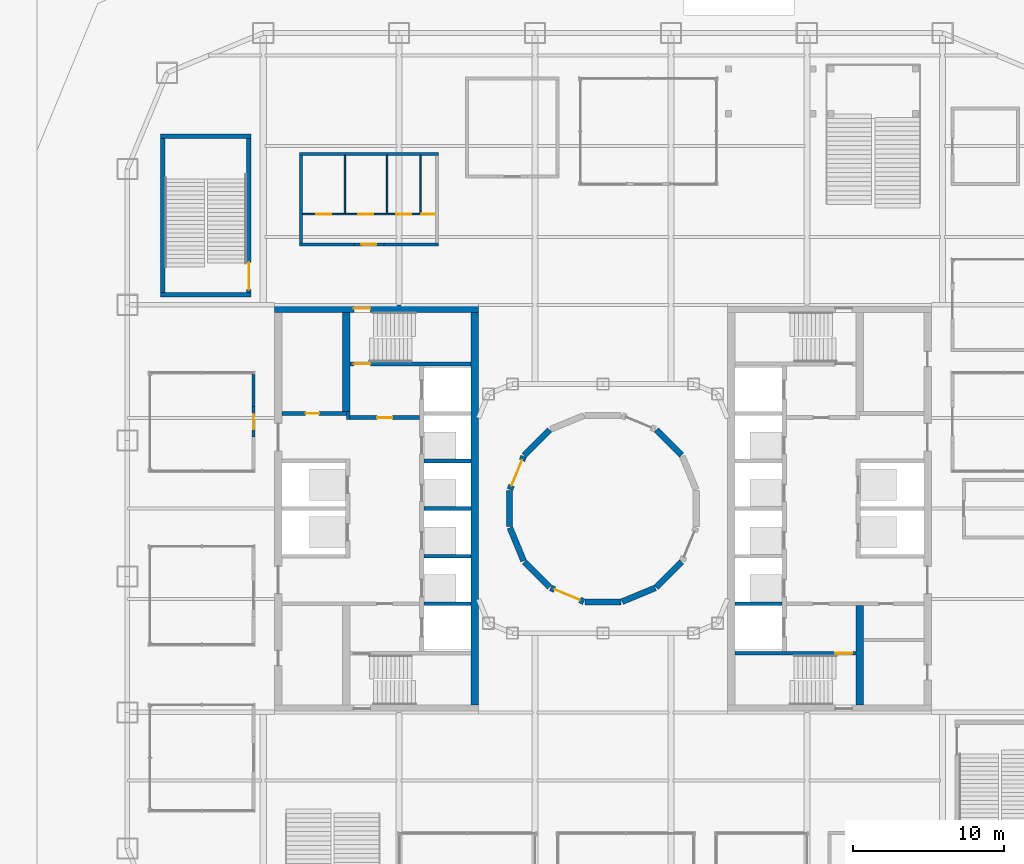
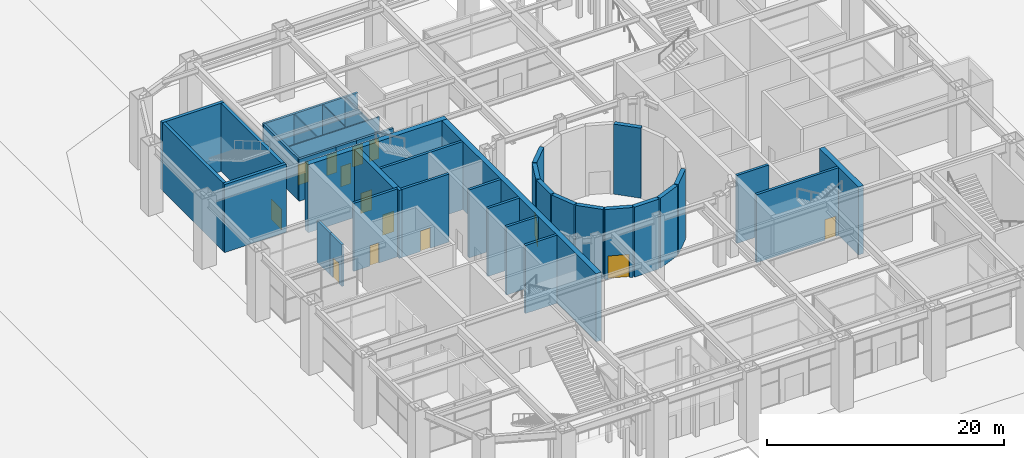
# One storey, part 14 of 20: 39 walls, 14 doors, 14 openings.
"""IFC4 building model written with IfcOpenShell, lengths in metres."""

from ifc_helpers import new_model, si_unit, direction, frame, frame_2d, origin, place, context, subcontext, project, spatial, rectangle, extrude, material, layer, layer_set, type_object, element, fill, save


model = new_model("IFC4")

# Units and contexts
model_context = context("Model", 3, precision=1e-05, world=origin(), true_north=direction((0.0, 1.0)))
body_context = subcontext(model_context, "Body", "Model", "MODEL_VIEW")
ifc_project = project(units=[si_unit("LENGTHUNIT", "METRE"), si_unit("AREAUNIT", "SQUARE_METRE"), si_unit("VOLUMEUNIT", "CUBIC_METRE"), si_unit("PLANEANGLEUNIT", "RADIAN"), si_unit("MASSUNIT", "GRAM", prefix="KILO")], contexts=[model_context])

# Site, building, storey
site_placement = place(None, origin())
site = spatial("IfcSite", under=ifc_project, at=site_placement, CompositionType="ELEMENT")
building_placement = place(site_placement, origin())
building = spatial("IfcBuilding", under=site, at=building_placement, Name="Siwar Civic Tower", CompositionType="ELEMENT")
storey_placement = place(building_placement, origin())
storey = spatial("IfcBuildingStorey", under=building, at=storey_placement, Name="L00", CompositionType="ELEMENT", Elevation=0.0)

# Wall, opening, door
ifc_material_1 = material(Name="Concrete C60/75", Category="concrete")
ifc_layer_1 = layer(ifc_material_1, 0.25)
ifc_layer_set_1 = layer_set([ifc_layer_1], Name="Concrete C60/75")
wall_type_1 = type_object("IfcWallType", Name="CORE-WALL-RC250", PredefinedType="SHEAR", material=ifc_layer_set_1)
wall_1_placement = place(storey_placement, frame((-12.14990234375, 6.02490234375, 0.0), z_axis=(0.0, 0.0, 1.0), x_axis=(-1.0, 0.0, 0.0)))
wall_1 = element("IfcWall", 1, at=wall_1_placement, inside=storey, type_object=wall_type_1, Name="Core wall W", PredefinedType="SHEAR", context=body_context, shape_type="SweptSolid", body=[
    extrude(rectangle(XDim=4.60009765625, YDim=0.25, at=frame_2d((2.300048828125, 0.0))), origin(), (0.0, 0.0, 1.0), 7.0),
])
opening_1_placement = place(wall_1_placement, frame((1.800048828125, 0.0, 0.0)))
opening_1 = element("IfcOpeningElement", 2, at=opening_1_placement, cuts=wall_1, Name="Opening L00-CW01", PredefinedType="OPENING", context=body_context, shape_type="SweptSolid", body=[
    extrude(rectangle(XDim=1.0, YDim=2.10009765625, at=frame_2d((0.5, 1.050048828125))), frame((0.0, 0.135009765625, 0.0), z_axis=(0.0, -1.0, 0.0), x_axis=(1.0, 0.0, 0.0)), (0.0, 0.0, 1.0), 0.27001953125),
])
ifc_material_2 = material(Name="Steel door leaf", Category="steel")
door_type_1 = type_object("IfcDoorType", Name="CORE-DOOR-FD30S", OperationType="SINGLE_SWING_LEFT", PredefinedType="DOOR", material=ifc_material_2)
door_1_placement = place(opening_1_placement, origin())
door_1 = element("IfcDoor", 3, at=door_1_placement, inside=storey, type_object=door_type_1, Name="Firefighting lobby door L00-CW01", OperationType="SINGLE_SWING_LEFT", OverallHeight=2.10009765625, OverallWidth=1.0, PredefinedType="DOOR", context=body_context, shape_type="SweptSolid", body=[
    extrude(rectangle(XDim=1.0, YDim=2.10009765625, at=frame_2d((0.5, 1.050048828125))), frame((0.0, 0.02490234375, 0.0), z_axis=(0.0, -1.0, 0.0), x_axis=(1.0, 0.0, 0.0)), (0.0, 0.0, 1.0), 0.050048828125),
])
fill(opening_1, door_1)

# Wall
wall_2_placement = place(storey_placement, frame((-16.875, 5.89990234375, 0.0), z_axis=(0.0, 0.0, 1.0), x_axis=(0.0, 1.0, 0.0)))
element("IfcWall", 4, at=wall_2_placement, inside=storey, type_object=wall_type_1, Name="Core wall W", PredefinedType="SHEAR", context=body_context, shape_type="SweptSolid", body=[
    extrude(rectangle(XDim=0.525146484375, YDim=0.25, at=frame_2d((0.2626953125, 0.0))), origin(), (0.0, 0.0, 1.0), 7.0),
])

# Wall, opening, door
wall_3_placement = place(storey_placement, frame((-17.0, 6.300048828125, 0.0), z_axis=(0.0, 0.0, 1.0), x_axis=(-1.0, 0.0, 0.0)))
wall_3 = element("IfcWall", 5, at=wall_3_placement, inside=storey, type_object=wall_type_1, Name="Core wall W", PredefinedType="SHEAR", context=body_context, shape_type="SweptSolid", body=[
    extrude(rectangle(XDim=4.25, YDim=0.25, at=frame_2d((2.125, 0.0))), origin(), (0.0, 0.0, 1.0), 7.0),
])
opening_2_placement = place(wall_3_placement, frame((1.800048828125, 0.0, 0.0)))
opening_2 = element("IfcOpeningElement", 6, at=opening_2_placement, cuts=wall_3, Name="Opening L00-CW17", PredefinedType="OPENING", context=body_context, shape_type="SweptSolid", body=[
    extrude(rectangle(XDim=0.89990234375, YDim=2.10009765625, at=frame_2d((0.449951171875, 1.050048828125))), frame((0.0, 0.135009765625, 0.0), z_axis=(0.0, -1.0, 0.0), x_axis=(1.0, 0.0, 0.0)), (0.0, 0.0, 1.0), 0.27001953125),
])
ifc_material_3 = material(Name="Steel door leaf", Category="steel")
door_type_2 = type_object("IfcDoorType", Name="CORE-DOOR-ROOM", OperationType="SINGLE_SWING_LEFT", PredefinedType="DOOR", material=ifc_material_3)
door_2_placement = place(opening_2_placement, origin())
door_2 = element("IfcDoor", 7, at=door_2_placement, inside=storey, type_object=door_type_2, Name="Core room door L00-CW17", OperationType="SINGLE_SWING_LEFT", OverallHeight=2.10009765625, OverallWidth=0.89990234375, PredefinedType="DOOR", context=body_context, shape_type="SweptSolid", body=[
    extrude(rectangle(XDim=0.89990234375, YDim=2.10009765625, at=frame_2d((0.449951171875, 1.050048828125))), frame((0.0, 0.02490234375, 0.0), z_axis=(0.0, -1.0, 0.0), x_axis=(1.0, 0.0, 0.0)), (0.0, 0.0, 1.0), 0.050048828125),
])
fill(opening_2, door_2)

# Walls
for number, where, z_axis, x_axis, name in (
    (8, (-8.75, 0.0, 0.0), (0.0, 0.0, 1.0), (-1.0, 0.0, 0.0), "Core wall W"),
    (9, (-8.75, 3.14990234375, 0.0), (0.0, 0.0, 1.0), (-1.0, 0.0, 0.0), "Core wall W"),
    (10, (-8.75, -3.14990234375, 0.0), (0.0, 0.0, 1.0), (-1.0, 0.0, 0.0), "Core wall W"),
    (11, (-8.75, -6.300048828125, 0.0), (0.0, 0.0, 1.0), (-1.0, 0.0, 0.0), "Core wall W"),
):
    element("IfcWall", number, at=place(storey_placement, frame(where, z_axis=z_axis, x_axis=x_axis)), inside=storey, type_object=wall_type_1, Name=name, PredefinedType="SHEAR", context=body_context, shape_type="SweptSolid", body=[
        extrude(rectangle(XDim=3.10009765625, YDim=0.25, at=frame_2d((1.550048828125, 0.0))), origin(), (0.0, 0.0, 1.0), 7.0),
    ])

# Wall, opening, door
wall_4_placement = place(storey_placement, frame((-8.75, 9.574951171875, 0.0), z_axis=(0.0, 0.0, 1.0), x_axis=(-1.0, 0.0, 0.0)))
wall_4 = element("IfcWall", 12, at=wall_4_placement, inside=storey, type_object=wall_type_1, Name="Core wall W", PredefinedType="SHEAR", context=body_context, shape_type="SweptSolid", body=[
    extrude(rectangle(XDim=8.0, YDim=0.25, at=frame_2d((4.0, 0.0))), origin(), (0.0, 0.0, 1.0), 7.0),
])
opening_3_placement = place(wall_4_placement, frame((6.64990234375, 0.0, 0.0)))
opening_3 = element("IfcOpeningElement", 13, at=opening_3_placement, cuts=wall_4, Name="Opening L00-CW03", PredefinedType="OPENING", context=body_context, shape_type="SweptSolid", body=[
    extrude(rectangle(XDim=1.10009765625, YDim=2.10009765625, at=frame_2d((0.550048828125, 1.050048828125))), frame((0.0, 0.135009765625, 0.0), z_axis=(0.0, -1.0, 0.0), x_axis=(1.0, 0.0, 0.0)), (0.0, 0.0, 1.0), 0.27001953125),
])
ifc_material_4 = material(Name="Steel door leaf", Category="steel")
door_type_3 = type_object("IfcDoorType", Name="CORE-DOOR-FD60S", OperationType="SINGLE_SWING_LEFT", PredefinedType="DOOR", material=ifc_material_4)
door_3_placement = place(opening_3_placement, origin())
door_3 = element("IfcDoor", 14, at=door_3_placement, inside=storey, type_object=door_type_3, Name="Stair door L00-CW03", OperationType="SINGLE_SWING_RIGHT", OverallHeight=2.10009765625, OverallWidth=1.10009765625, PredefinedType="DOOR", context=body_context, shape_type="SweptSolid", body=[
    extrude(rectangle(XDim=1.10009765625, YDim=2.10009765625, at=frame_2d((0.550048828125, 1.050048828125))), frame((0.0, 0.02490234375, 0.0), z_axis=(0.0, -1.0, 0.0), x_axis=(1.0, 0.0, 0.0)), (0.0, 0.0, 1.0), 0.050048828125),
])
fill(opening_3, door_3)

# Wall
wall_5_placement = place(storey_placement, frame((8.75, -6.300048828125, 0.0), z_axis=(0.0, 0.0, 1.0), x_axis=(1.0, 0.0, 0.0)))
element("IfcWall", 15, at=wall_5_placement, inside=storey, type_object=wall_type_1, Name="Core wall E", PredefinedType="SHEAR", context=body_context, shape_type="SweptSolid", body=[
    extrude(rectangle(XDim=3.10009765625, YDim=0.25, at=frame_2d((1.550048828125, 0.0))), origin(), (0.0, 0.0, 1.0), 7.0),
])

# Wall, opening, door
wall_6_placement = place(storey_placement, frame((8.75, -9.574951171875, 0.0), z_axis=(0.0, 0.0, 1.0), x_axis=(1.0, 0.0, 0.0)))
wall_6 = element("IfcWall", 16, at=wall_6_placement, inside=storey, type_object=wall_type_1, Name="Core wall E", PredefinedType="SHEAR", context=body_context, shape_type="SweptSolid", body=[
    extrude(rectangle(XDim=8.0, YDim=0.25, at=frame_2d((4.0, 0.0))), origin(), (0.0, 0.0, 1.0), 7.0),
])
opening_4_placement = place(wall_6_placement, frame((6.64990234375, 0.0, 0.0)))
opening_4 = element("IfcOpeningElement", 17, at=opening_4_placement, cuts=wall_6, Name="Opening L00-CE04", PredefinedType="OPENING", context=body_context, shape_type="SweptSolid", body=[
    extrude(rectangle(XDim=1.10009765625, YDim=2.10009765625, at=frame_2d((0.550048828125, 1.050048828125))), frame((0.0, 0.135009765625, 0.0), z_axis=(0.0, -1.0, 0.0), x_axis=(1.0, 0.0, 0.0)), (0.0, 0.0, 1.0), 0.27001953125),
])
door_4_placement = place(opening_4_placement, origin())
door_4 = element("IfcDoor", 18, at=door_4_placement, inside=storey, type_object=door_type_3, Name="Stair door L00-CE04", OperationType="SINGLE_SWING_RIGHT", OverallHeight=2.10009765625, OverallWidth=1.10009765625, PredefinedType="DOOR", context=body_context, shape_type="SweptSolid", body=[
    extrude(rectangle(XDim=1.10009765625, YDim=2.10009765625, at=frame_2d((0.550048828125, 1.050048828125))), frame((0.0, 0.02490234375, 0.0), z_axis=(0.0, -1.0, 0.0), x_axis=(1.0, 0.0, 0.0)), (0.0, 0.0, 1.0), 0.050048828125),
])
fill(opening_4, door_4)

# Walls
ifc_material_5 = material(Name="Concrete C60/75", Category="concrete")
ifc_layer_2 = layer(ifc_material_5, 0.5)
ifc_layer_set_2 = layer_set([ifc_layer_2], Name="Concrete C60/75")
wall_type_2 = type_object("IfcWallType", Name="CORE-WALL-RC500", PredefinedType="SHEAR", material=ifc_layer_set_2)
for number, where, z_axis, x_axis, name in (
    (19, (-17.0, 6.425048828125, 0.0), (0.0, 0.0, 1.0), (0.0, 1.0, 0.0), "Core wall W"),
    (20, (17.0, -13.0, 0.0), (0.0, 0.0, 1.0), (0.0, 1.0, 0.0), "Core wall E"),
):
    element("IfcWall", number, at=place(storey_placement, frame(where, z_axis=z_axis, x_axis=x_axis)), inside=storey, type_object=wall_type_2, Name=name, PredefinedType="SHEAR", context=body_context, shape_type="SweptSolid", body=[
        extrude(rectangle(XDim=6.574951171875, YDim=0.5, at=frame_2d((3.28759765625, 0.0))), origin(), (0.0, 0.0, 1.0), 7.0),
    ])

# Wall, opening, door
ifc_material_6 = material(Name="Concrete C60/75", Category="concrete")
ifc_layer_3 = layer(ifc_material_6, 0.5)
ifc_layer_set_3 = layer_set([ifc_layer_3], Name="Concrete C60/75")
wall_type_3 = type_object("IfcWallType", Name="CORE-WALL-RC500-EXT", PredefinedType="SHEAR", material=ifc_layer_set_3)
wall_7_placement = place(storey_placement, frame((-8.25, 13.25, 0.0), z_axis=(0.0, 0.0, 1.0), x_axis=(-1.0, 0.0, 0.0)))
wall_7 = element("IfcWall", 21, at=wall_7_placement, inside=storey, type_object=wall_type_3, Name="Core wall W", PredefinedType="SHEAR", context=body_context, shape_type="SweptSolid", body=[
    extrude(rectangle(XDim=13.5, YDim=0.5, at=frame_2d((6.75, 0.0))), origin(), (0.0, 0.0, 1.0), 7.0),
])
opening_5_placement = place(wall_7_placement, frame((7.14990234375, 0.0, 0.0)))
opening_5 = element("IfcOpeningElement", 22, at=opening_5_placement, cuts=wall_7, Name="Opening L00-CW07", PredefinedType="OPENING", context=body_context, shape_type="SweptSolid", body=[
    extrude(rectangle(XDim=1.10009765625, YDim=2.10009765625, at=frame_2d((0.550048828125, 1.050048828125))), frame((0.0, 0.260009765625, 0.0), z_axis=(0.0, -1.0, 0.0), x_axis=(1.0, 0.0, 0.0)), (0.0, 0.0, 1.0), 0.52001953125),
])
ifc_material_7 = material(Name="Steel door leaf", Category="steel")
door_type_4 = type_object("IfcDoorType", Name="CORE-DOOR-FD60S-EXT", OperationType="SINGLE_SWING_LEFT", PredefinedType="DOOR", material=ifc_material_7)
door_5_placement = place(opening_5_placement, frame((1.10009765625, 0.0, 0.0), z_axis=(0.0, 0.0, 1.0), x_axis=(-1.0, 0.0, 0.0)))
door_5 = element("IfcDoor", 23, at=door_5_placement, inside=storey, type_object=door_type_4, Name="Main exit ST1 L00-CW07", OperationType="SINGLE_SWING_LEFT", OverallHeight=2.10009765625, OverallWidth=1.10009765625, PredefinedType="DOOR", context=body_context, shape_type="SweptSolid", body=[
    extrude(rectangle(XDim=1.10009765625, YDim=2.10009765625, at=frame_2d((0.550048828125, 1.050048828125))), frame((0.0, 0.025146484375, 0.0), z_axis=(0.0, -1.0, 0.0), x_axis=(1.0, 0.0, 0.0)), (0.0, 0.0, 1.0), 0.050048828125),
])
fill(opening_5, door_5)

# Walls
wall_8_placement = place(storey_placement, frame((-8.5, -13.0, 0.0), z_axis=(0.0, 0.0, 1.0), x_axis=(0.0, 1.0, 0.0)))
element("IfcWall", 24, at=wall_8_placement, inside=storey, type_object=wall_type_3, Name="Core wall W", PredefinedType="SHEAR", context=body_context, shape_type="SweptSolid", body=[
    extrude(rectangle(XDim=26.0, YDim=0.5, at=frame_2d((13.0, 0.0))), origin(), (0.0, 0.0, 1.0), 7.0),
])
ifc_material_8 = material(Name="Concrete C60/75", Category="concrete")
ifc_layer_4 = layer(ifc_material_8, 0.39990234375)
ifc_layer_set_4 = layer_set([ifc_layer_4], Name="Concrete C60/75")
wall_type_4 = type_object("IfcWallType", Name="GND-DRUMWALL", PredefinedType="SOLIDWALL", material=ifc_layer_set_4)
for number, where, z_axis, x_axis, name in (
    (25, (5.20947265625, 3.52880859375, 0.0), (0.0, 0.0, 1.0), (-0.707106781187, 0.707106781187, 0.0), "L00/wall/drum-02"),
    (26, (-3.52880859375, 5.20947265625, 0.0), (0.0, 0.0, 1.0), (-0.707106781187, -0.707106781187, 0.0), "L00/wall/drum-06"),
):
    element("IfcWall", number, at=place(storey_placement, frame(where, z_axis=z_axis, x_axis=x_axis)), inside=storey, type_object=wall_type_4, Name=name, PredefinedType="SOLIDWALL", context=body_context, shape_type="SweptSolid", body=[
        extrude(rectangle(XDim=2.376708984375, YDim=0.39990234375, at=frame_2d((1.1884765625, 0.0))), origin(), (0.0, 0.0, 1.0), 7.199951171875),
    ])

# Wall, opening, door
wall_9_placement = place(storey_placement, frame((-5.25390625, 3.46240234375, 0.0), z_axis=(0.0, 0.0, 1.0), x_axis=(-0.382681453552, -0.92388035216, 0.0)))
wall_9 = element("IfcWall", 27, at=wall_9_placement, inside=storey, type_object=wall_type_4, Name="L00/wall/drum-07", PredefinedType="SOLIDWALL", context=body_context, shape_type="SweptSolid", body=[
    extrude(rectangle(XDim=2.37646484375, YDim=0.39990234375, at=frame_2d((1.188232421875, 0.0))), origin(), (0.0, 0.0, 1.0), 7.199951171875),
])
opening_6_placement = place(wall_9_placement, frame((0.288330078125, 0.0, 0.0)))
opening_6 = element("IfcOpeningElement", 28, at=opening_6_placement, cuts=wall_9, Name="Opening GE5", PredefinedType="OPENING", context=body_context, shape_type="SweptSolid", body=[
    extrude(rectangle(XDim=1.800048828125, YDim=2.39990234375, at=frame_2d((0.89990234375, 1.199951171875))), frame((0.0, 0.2099609375, 0.0), z_axis=(0.0, -1.0, 0.0), x_axis=(1.0, 0.0, 0.0)), (0.0, 0.0, 1.0), 0.419921875),
])
ifc_material_9 = material(Name="Timber and glass", Category="wood")
door_type_5 = type_object("IfcDoorType", Name="GND-DOOR-DRUM", OperationType="DOUBLE_DOOR_SINGLE_SWING", PredefinedType="DOOR", material=ifc_material_9)
door_6_placement = place(opening_6_placement, frame((1.800048828125, 0.0, 0.0), z_axis=(0.0, 0.0, 1.0), x_axis=(-1.0, 0.0, 0.0)))
door_6 = element("IfcDoor", 29, at=door_6_placement, inside=storey, type_object=door_type_5, Name="Council chamber entrance 2", OperationType="DOUBLE_DOOR_SINGLE_SWING", OverallHeight=2.39990234375, OverallWidth=1.800048828125, PredefinedType="DOOR", context=body_context, shape_type="SweptSolid", body=[
    extrude(rectangle(XDim=1.800048828125, YDim=2.39990234375, at=frame_2d((0.900146484375, 1.199951171875))), frame((0.0, 0.025146484375, 0.0), z_axis=(0.0, -1.0, 0.0), x_axis=(1.0, 0.0, 0.0)), (0.0, 0.0, 1.0), 0.050048828125),
])
fill(opening_6, door_6)

# Walls
for number, where, z_axis, x_axis, name in (
    (30, (-6.178955078125, 1.188232421875, 0.0), (0.0, 0.0, 1.0), (0.0, -1.0, 0.0), "L00/wall/drum-08"),
    (31, (-6.163330078125, -1.266845703125, 0.0), (0.0, 0.0, 1.0), (0.382681453552, -0.92388035216, 0.0), "L00/wall/drum-09"),
):
    element("IfcWall", number, at=place(storey_placement, frame(where, z_axis=z_axis, x_axis=x_axis)), inside=storey, type_object=wall_type_4, Name=name, PredefinedType="SOLIDWALL", context=body_context, shape_type="SweptSolid", body=[
        extrude(rectangle(XDim=2.37646484375, YDim=0.39990234375, at=frame_2d((1.188232421875, 0.0))), origin(), (0.0, 0.0, 1.0), 7.199951171875),
    ])
wall_10_placement = place(storey_placement, frame((-5.20947265625, -3.52880859375, 0.0), z_axis=(0.0, 0.0, 1.0), x_axis=(0.707106781187, -0.707106781187, 0.0)))
element("IfcWall", 32, at=wall_10_placement, inside=storey, type_object=wall_type_4, Name="L00/wall/drum-10", PredefinedType="SOLIDWALL", context=body_context, shape_type="SweptSolid", body=[
    extrude(rectangle(XDim=2.376708984375, YDim=0.39990234375, at=frame_2d((1.1884765625, 0.0))), origin(), (0.0, 0.0, 1.0), 7.199951171875),
])

# Wall, opening, door
wall_11_placement = place(storey_placement, frame((-3.46240234375, -5.25390625, 0.0), z_axis=(0.0, 0.0, 1.0), x_axis=(0.92388035216, -0.382681453552, 0.0)))
wall_11 = element("IfcWall", 33, at=wall_11_placement, inside=storey, type_object=wall_type_4, Name="L00/wall/drum-11", PredefinedType="SOLIDWALL", context=body_context, shape_type="SweptSolid", body=[
    extrude(rectangle(XDim=2.37646484375, YDim=0.39990234375, at=frame_2d((1.188232421875, 0.0))), origin(), (0.0, 0.0, 1.0), 7.199951171875),
])
opening_7_placement = place(wall_11_placement, frame((0.288330078125, 0.0, 0.0)))
opening_7 = element("IfcOpeningElement", 34, at=opening_7_placement, cuts=wall_11, Name="Opening GE5", PredefinedType="OPENING", context=body_context, shape_type="SweptSolid", body=[
    extrude(rectangle(XDim=1.800048828125, YDim=2.39990234375, at=frame_2d((0.89990234375, 1.199951171875))), frame((0.0, 0.2099609375, 0.0), z_axis=(0.0, -1.0, 0.0), x_axis=(1.0, 0.0, 0.0)), (0.0, 0.0, 1.0), 0.419921875),
])
door_7_placement = place(opening_7_placement, frame((1.800048828125, 0.0, 0.0), z_axis=(0.0, 0.0, 1.0), x_axis=(-1.0, 0.0, 0.0)))
door_7 = element("IfcDoor", 35, at=door_7_placement, inside=storey, type_object=door_type_5, Name="Council chamber entrance 3", OperationType="DOUBLE_DOOR_SINGLE_SWING", OverallHeight=2.39990234375, OverallWidth=1.800048828125, PredefinedType="DOOR", context=body_context, shape_type="SweptSolid", body=[
    extrude(rectangle(XDim=1.800048828125, YDim=2.39990234375, at=frame_2d((0.900146484375, 1.199951171875))), frame((0.0, 0.025146484375, 0.0), z_axis=(0.0, -1.0, 0.0), x_axis=(1.0, 0.0, 0.0)), (0.0, 0.0, 1.0), 0.050048828125),
])
fill(opening_7, door_7)

# Walls
for number, where, z_axis, x_axis, name in (
    (36, (-1.188232421875, -6.178955078125, 0.0), (0.0, 0.0, 1.0), (1.0, 0.0, 0.0), "L00/wall/drum-12"),
    (37, (1.266845703125, -6.163330078125, 0.0), (0.0, 0.0, 1.0), (0.92388035216, 0.382681453552, 0.0), "L00/wall/drum-13"),
):
    element("IfcWall", number, at=place(storey_placement, frame(where, z_axis=z_axis, x_axis=x_axis)), inside=storey, type_object=wall_type_4, Name=name, PredefinedType="SOLIDWALL", context=body_context, shape_type="SweptSolid", body=[
        extrude(rectangle(XDim=2.37646484375, YDim=0.39990234375, at=frame_2d((1.188232421875, 0.0))), origin(), (0.0, 0.0, 1.0), 7.199951171875),
    ])
wall_12_placement = place(storey_placement, frame((3.52880859375, -5.20947265625, 0.0), z_axis=(0.0, 0.0, 1.0), x_axis=(0.707106781187, 0.707106781187, 0.0)))
element("IfcWall", 38, at=wall_12_placement, inside=storey, type_object=wall_type_4, Name="L00/wall/drum-14", PredefinedType="SOLIDWALL", context=body_context, shape_type="SweptSolid", body=[
    extrude(rectangle(XDim=2.376708984375, YDim=0.39990234375, at=frame_2d((1.1884765625, 0.0))), origin(), (0.0, 0.0, 1.0), 7.199951171875),
])

# Wall, opening, door
ifc_material_10 = material(Name="Concrete C60/75", Category="concrete")
ifc_layer_5 = layer(ifc_material_10, 0.300048828125)
ifc_layer_set_5 = layer_set([ifc_layer_5], Name="Concrete C60/75")
wall_type_5 = type_object("IfcWallType", Name="GND-ES-WALL", PredefinedType="SHEAR", material=ifc_layer_set_5)
wall_13_placement = place(storey_placement, frame((-23.449951171875, 14.300048828125, 0.0), z_axis=(0.0, 0.0, 1.0), x_axis=(0.0, 1.0, 0.0)))
wall_13 = element("IfcWall", 39, at=wall_13_placement, inside=storey, type_object=wall_type_5, Name="Stair wall ST5", PredefinedType="SHEAR", context=body_context, shape_type="SweptSolid", body=[
    extrude(rectangle(XDim=10.199951171875, YDim=0.300048828125, at=frame_2d((5.10009765625, 0.0))), origin(), (0.0, 0.0, 1.0), 7.0),
])
opening_8_placement = place(wall_13_placement, frame((0.199951171875, 0.0, 0.0)))
opening_8 = element("IfcOpeningElement", 40, at=opening_8_placement, cuts=wall_13, Name="Opening SX1", PredefinedType="OPENING", context=body_context, shape_type="SweptSolid", body=[
    extrude(rectangle(XDim=1.800048828125, YDim=2.10009765625, at=frame_2d((0.89990234375, 1.050048828125))), frame((0.0, 0.16015625, 0.0), z_axis=(0.0, -1.0, 0.0), x_axis=(1.0, 0.0, 0.0)), (0.0, 0.0, 1.0), 0.320068359375),
])
ifc_material_11 = material(Name="Steel door leaf", Category="steel")
door_type_6 = type_object("IfcDoorType", Name="GND-ES-DOOR", OperationType="DOUBLE_DOOR_SINGLE_SWING", PredefinedType="DOOR", material=ifc_material_11)
door_8_placement = place(opening_8_placement, frame((1.800048828125, 0.0, 0.0), z_axis=(0.0, 0.0, 1.0), x_axis=(-1.0, 0.0, 0.0)))
door_8 = element("IfcDoor", 41, at=door_8_placement, inside=storey, type_object=door_type_6, Name="Main exit ST5", OperationType="DOUBLE_DOOR_SINGLE_SWING", OverallHeight=2.10009765625, OverallWidth=1.800048828125, PredefinedType="DOOR", context=body_context, shape_type="SweptSolid", body=[
    extrude(rectangle(XDim=1.800048828125, YDim=2.10009765625, at=frame_2d((0.900146484375, 1.050048828125))), frame((0.0, 0.025146484375, 0.0), z_axis=(0.0, -1.0, 0.0), x_axis=(1.0, 0.0, 0.0)), (0.0, 0.0, 1.0), 0.050048828125),
])
fill(opening_8, door_8)

# Walls
for number, where, z_axis, x_axis, name in (
    (42, (-29.300048828125, 24.64990234375, 0.0), (0.0, 0.0, 1.0), (1.0, 0.0, 0.0), "Stair wall ST5"),
    (43, (-29.300048828125, 14.14990234375, 0.0), (0.0, 0.0, 1.0), (1.0, 0.0, 0.0), "Stair wall ST5"),
):
    element("IfcWall", number, at=place(storey_placement, frame(where, z_axis=z_axis, x_axis=x_axis)), inside=storey, type_object=wall_type_5, Name=name, PredefinedType="SHEAR", context=body_context, shape_type="SweptSolid", body=[
        extrude(rectangle(XDim=6.0, YDim=0.300048828125, at=frame_2d((3.0, 0.0))), origin(), (0.0, 0.0, 1.0), 7.0),
    ])
wall_14_placement = place(storey_placement, frame((-29.14990234375, 14.300048828125, 0.0), z_axis=(0.0, 0.0, 1.0), x_axis=(0.0, 1.0, 0.0)))
element("IfcWall", 44, at=wall_14_placement, inside=storey, type_object=wall_type_5, Name="Stair wall ST5", PredefinedType="SHEAR", context=body_context, shape_type="SweptSolid", body=[
    extrude(rectangle(XDim=10.199951171875, YDim=0.300048828125, at=frame_2d((5.10009765625, 0.0))), origin(), (0.0, 0.0, 1.0), 7.0),
])

# Wall, openings, doors
ifc_material_12 = material(Name="Gypsum board on steel studs", Category="steel")
ifc_layer_6 = layer(ifc_material_12, 0.10009765625)
ifc_layer_set_6 = layer_set([ifc_layer_6], Name="Gypsum board on steel studs")
wall_type_6 = type_object("IfcWallType", Name="GND-POD-PART", PredefinedType="PARTITIONING", material=ifc_layer_set_6)
wall_15_placement = place(storey_placement, frame((-19.89990234375, 19.5, 0.0), z_axis=(0.0, 0.0, 1.0), x_axis=(1.0, 0.0, 0.0)))
wall_15 = element("IfcWall", 45, at=wall_15_placement, inside=storey, type_object=wall_type_6, Name="L00/wall/P06-part-h", PredefinedType="PARTITIONING", context=body_context, shape_type="SweptSolid", body=[
    extrude(rectangle(XDim=8.7998046875, YDim=0.10009765625, at=frame_2d((4.39990234375, 0.0))), origin(), (0.0, 0.0, 1.0), 4.300048828125),
])
opening_9_placement = place(wall_15_placement, frame((0.89990234375, 0.0, 0.0)))
opening_9 = element("IfcOpeningElement", 46, at=opening_9_placement, cuts=wall_15, Name="Opening GE3", PredefinedType="OPENING", context=body_context, shape_type="SweptSolid", body=[
    extrude(rectangle(XDim=1.0, YDim=2.10009765625, at=frame_2d((0.5, 1.050048828125))), frame((0.0, 0.06005859375, 0.0), z_axis=(0.0, -1.0, 0.0), x_axis=(1.0, 0.0, 0.0)), (0.0, 0.0, 1.0), 0.1201171875),
])
opening_10_placement = place(wall_15_placement, frame((3.699951171875, 0.0, 0.0)))
opening_10 = element("IfcOpeningElement", 47, at=opening_10_placement, cuts=wall_15, Name="Opening GE3", PredefinedType="OPENING", context=body_context, shape_type="SweptSolid", body=[
    extrude(rectangle(XDim=1.0, YDim=2.10009765625, at=frame_2d((0.5, 1.050048828125))), frame((0.0, 0.06005859375, 0.0), z_axis=(0.0, -1.0, 0.0), x_axis=(1.0, 0.0, 0.0)), (0.0, 0.0, 1.0), 0.1201171875),
])
opening_11_placement = place(wall_15_placement, frame((6.199951171875, 0.0, 0.0)))
opening_11 = element("IfcOpeningElement", 48, at=opening_11_placement, cuts=wall_15, Name="Opening GE3", PredefinedType="OPENING", context=body_context, shape_type="SweptSolid", body=[
    extrude(rectangle(XDim=1.0, YDim=2.10009765625, at=frame_2d((0.5, 1.050048828125))), frame((0.0, 0.06005859375, 0.0), z_axis=(0.0, -1.0, 0.0), x_axis=(1.0, 0.0, 0.0)), (0.0, 0.0, 1.0), 0.1201171875),
])
opening_12_placement = place(wall_15_placement, frame((7.85009765625, 0.0, 0.0)))
opening_12 = element("IfcOpeningElement", 49, at=opening_12_placement, cuts=wall_15, Name="Opening GE6", PredefinedType="OPENING", context=body_context, shape_type="SweptSolid", body=[
    extrude(rectangle(XDim=0.89990234375, YDim=2.10009765625, at=frame_2d((0.449951171875, 1.050048828125))), frame((0.0, 0.06005859375, 0.0), z_axis=(0.0, -1.0, 0.0), x_axis=(1.0, 0.0, 0.0)), (0.0, 0.0, 1.0), 0.1201171875),
])
ifc_material_13 = material(Name="Timber", Category="wood")
door_type_7 = type_object("IfcDoorType", Name="GND-DOOR-INT", OperationType="SINGLE_SWING_LEFT", PredefinedType="DOOR", material=ifc_material_13)
door_9_placement = place(opening_9_placement, origin())
door_9 = element("IfcDoor", 50, at=door_9_placement, inside=storey, type_object=door_type_7, Name="L00-D08", OperationType="SINGLE_SWING_RIGHT", OverallHeight=2.10009765625, OverallWidth=1.0, PredefinedType="DOOR", context=body_context, shape_type="SweptSolid", body=[
    extrude(rectangle(XDim=1.0, YDim=2.10009765625, at=frame_2d((0.5, 1.050048828125))), frame((0.0, 0.02490234375, 0.0), z_axis=(0.0, -1.0, 0.0), x_axis=(1.0, 0.0, 0.0)), (0.0, 0.0, 1.0), 0.050048828125),
])
fill(opening_9, door_9)
door_10_placement = place(opening_10_placement, origin())
door_10 = element("IfcDoor", 51, at=door_10_placement, inside=storey, type_object=door_type_7, Name="L00-D09", OperationType="SINGLE_SWING_RIGHT", OverallHeight=2.10009765625, OverallWidth=1.0, PredefinedType="DOOR", context=body_context, shape_type="SweptSolid", body=[
    extrude(rectangle(XDim=1.0, YDim=2.10009765625, at=frame_2d((0.5, 1.050048828125))), frame((0.0, 0.02490234375, 0.0), z_axis=(0.0, -1.0, 0.0), x_axis=(1.0, 0.0, 0.0)), (0.0, 0.0, 1.0), 0.050048828125),
])
fill(opening_10, door_10)
door_11_placement = place(opening_11_placement, origin())
door_11 = element("IfcDoor", 52, at=door_11_placement, inside=storey, type_object=door_type_7, Name="L00-D10", OperationType="SINGLE_SWING_LEFT", OverallHeight=2.10009765625, OverallWidth=1.0, PredefinedType="DOOR", context=body_context, shape_type="SweptSolid", body=[
    extrude(rectangle(XDim=1.0, YDim=2.10009765625, at=frame_2d((0.5, 1.050048828125))), frame((0.0, 0.02490234375, 0.0), z_axis=(0.0, -1.0, 0.0), x_axis=(1.0, 0.0, 0.0)), (0.0, 0.0, 1.0), 0.050048828125),
])
fill(opening_11, door_11)
ifc_material_14 = material(Name="Timber", Category="wood")
door_type_8 = type_object("IfcDoorType", Name="GND-DOOR-INT-09", OperationType="SINGLE_SWING_LEFT", PredefinedType="DOOR", material=ifc_material_14)
door_12_placement = place(opening_12_placement, origin())
door_12 = element("IfcDoor", 53, at=door_12_placement, inside=storey, type_object=door_type_8, Name="L00-D11", OperationType="SINGLE_SWING_LEFT", OverallHeight=2.10009765625, OverallWidth=0.89990234375, PredefinedType="DOOR", context=body_context, shape_type="SweptSolid", body=[
    extrude(rectangle(XDim=0.89990234375, YDim=2.10009765625, at=frame_2d((0.449951171875, 1.050048828125))), frame((0.0, 0.02490234375, 0.0), z_axis=(0.0, -1.0, 0.0), x_axis=(1.0, 0.0, 0.0)), (0.0, 0.0, 1.0), 0.050048828125),
])
fill(opening_12, door_12)

# Walls
for number, where, z_axis, x_axis, name in (
    (54, (-17.10009765625, 19.550048828125, 0.0), (0.0, 0.0, 1.0), (0.0, 1.0, 0.0), "L00/wall/P06-part-v1"),
    (55, (-14.300048828125, 19.550048828125, 0.0), (0.0, 0.0, 1.0), (0.0, 1.0, 0.0), "L00/wall/P06-part-v2"),
    (56, (-12.10009765625, 19.550048828125, 0.0), (0.0, 0.0, 1.0), (0.0, 1.0, 0.0), "L00/wall/P06-part-v3"),
):
    element("IfcWall", number, at=place(storey_placement, frame(where, z_axis=z_axis, x_axis=x_axis)), inside=storey, type_object=wall_type_6, Name=name, PredefinedType="PARTITIONING", context=body_context, shape_type="SweptSolid", body=[
        extrude(rectangle(XDim=3.849853515625, YDim=0.10009765625, at=frame_2d((1.9248046875, 0.0))), origin(), (0.0, 0.0, 1.0), 4.300048828125),
    ])
ifc_material_15 = material(Name="Insulated blockwork", Category="masonry")
ifc_layer_7 = layer(ifc_material_15, 0.199951171875)
ifc_layer_set_7 = layer_set([ifc_layer_7], Name="Insulated blockwork")
wall_type_7 = type_object("IfcWallType", Name="GND-POD-WALL", PredefinedType="SOLIDWALL", material=ifc_layer_set_7)
wall_16_placement = place(storey_placement, frame((-20.10009765625, 17.5, 0.0), z_axis=(0.0, 0.0, 1.0), x_axis=(1.0, 0.0, 0.0)))
element("IfcWall", 57, at=wall_16_placement, inside=storey, type_object=wall_type_7, Name="L00/wall/P06-S1", PredefinedType="SOLIDWALL", context=body_context, shape_type="SweptSolid", body=[
    extrude(rectangle(XDim=3.60009765625, YDim=0.199951171875, at=frame_2d((1.800048828125, 0.0))), origin(), (0.0, 0.0, 1.0), 4.300048828125),
])

# Wall, opening, door
wall_17_placement = place(storey_placement, frame((-16.5, 17.5, 0.0), z_axis=(0.0, 0.0, 1.0), x_axis=(1.0, 0.0, 0.0)))
wall_17 = element("IfcWall", 58, at=wall_17_placement, inside=storey, type_object=wall_type_7, Name="L00/wall/P06-S2", PredefinedType="SOLIDWALL", context=body_context, shape_type="SweptSolid", body=[
    extrude(rectangle(XDim=2.0, YDim=0.199951171875, at=frame_2d((1.0, 0.0))), origin(), (0.0, 0.0, 1.0), 4.300048828125),
])
opening_13_placement = place(wall_17_placement, frame((0.5, 0.0, 0.0)))
opening_13 = element("IfcOpeningElement", 59, at=opening_13_placement, cuts=wall_17, Name="Opening GE2", PredefinedType="OPENING", context=body_context, shape_type="SweptSolid", body=[
    extrude(rectangle(XDim=1.0, YDim=2.10009765625, at=frame_2d((0.5, 1.050048828125))), frame((0.0, 0.10986328125, 0.0), z_axis=(0.0, -1.0, 0.0), x_axis=(1.0, 0.0, 0.0)), (0.0, 0.0, 1.0), 0.219970703125),
])
ifc_material_16 = material(Name="Steel", Category="steel")
door_type_9 = type_object("IfcDoorType", Name="GND-DOOR-SVC", OperationType="SINGLE_SWING_LEFT", PredefinedType="DOOR", material=ifc_material_16)
door_13_placement = place(opening_13_placement, frame((1.0, 0.0, 0.0), z_axis=(0.0, 0.0, 1.0), x_axis=(-1.0, 0.0, 0.0)))
door_13 = element("IfcDoor", 60, at=door_13_placement, inside=storey, type_object=door_type_9, Name="Entrance Public WC block", OperationType="SINGLE_SWING_LEFT", OverallHeight=2.10009765625, OverallWidth=1.0, PredefinedType="DOOR", context=body_context, shape_type="SweptSolid", body=[
    extrude(rectangle(XDim=1.0, YDim=2.10009765625, at=frame_2d((0.5, 1.050048828125))), frame((0.0, 0.025146484375, 0.0), z_axis=(0.0, -1.0, 0.0), x_axis=(1.0, 0.0, 0.0)), (0.0, 0.0, 1.0), 0.050048828125),
])
fill(opening_13, door_13)

# Walls
wall_18_placement = place(storey_placement, frame((-14.5, 17.5, 0.0), z_axis=(0.0, 0.0, 1.0), x_axis=(1.0, 0.0, 0.0)))
element("IfcWall", 61, at=wall_18_placement, inside=storey, type_object=wall_type_7, Name="L00/wall/P06-S3", PredefinedType="SOLIDWALL", context=body_context, shape_type="SweptSolid", body=[
    extrude(rectangle(XDim=3.60009765625, YDim=0.199951171875, at=frame_2d((1.800048828125, 0.0))), origin(), (0.0, 0.0, 1.0), 4.300048828125),
])
wall_19_placement = place(storey_placement, frame((-20.10009765625, 23.5, 0.0), z_axis=(0.0, 0.0, 1.0), x_axis=(1.0, 0.0, 0.0)))
element("IfcWall", 62, at=wall_19_placement, inside=storey, type_object=wall_type_7, Name="L00/wall/P06-N5", PredefinedType="SOLIDWALL", context=body_context, shape_type="SweptSolid", body=[
    extrude(rectangle(XDim=9.2001953125, YDim=0.199951171875, at=frame_2d((4.60009765625, 0.0))), origin(), (0.0, 0.0, 1.0), 4.300048828125),
])
wall_20_placement = place(storey_placement, frame((-20.0, 17.60009765625, 0.0), z_axis=(0.0, 0.0, 1.0), x_axis=(0.0, 1.0, 0.0)))
element("IfcWall", 63, at=wall_20_placement, inside=storey, type_object=wall_type_7, Name="L00/wall/P06-W6", PredefinedType="SOLIDWALL", context=body_context, shape_type="SweptSolid", body=[
    extrude(rectangle(XDim=5.7998046875, YDim=0.199951171875, at=frame_2d((2.89990234375, 0.0))), origin(), (0.0, 0.0, 1.0), 4.300048828125),
])

# Wall, opening, door
wall_21_placement = place(storey_placement, frame((-23.14990234375, 4.75, 0.0), z_axis=(0.0, 0.0, 1.0), x_axis=(0.0, 1.0, 0.0)))
wall_21 = element("IfcWall", 64, at=wall_21_placement, inside=storey, type_object=wall_type_7, Name="L00/wall/P09-E3", PredefinedType="SOLIDWALL", context=body_context, shape_type="SweptSolid", body=[
    extrude(rectangle(XDim=2.0, YDim=0.199951171875, at=frame_2d((1.0, 0.0))), origin(), (0.0, 0.0, 1.0), 4.300048828125),
])
opening_14_placement = place(wall_21_placement, frame((0.5, 0.0, 0.0)))
opening_14 = element("IfcOpeningElement", 65, at=opening_14_placement, cuts=wall_21, Name="Opening GE7", PredefinedType="OPENING", context=body_context, shape_type="SweptSolid", body=[
    extrude(rectangle(XDim=1.0, YDim=2.10009765625, at=frame_2d((0.5, 1.050048828125))), frame((0.0, 0.10986328125, 0.0), z_axis=(0.0, -1.0, 0.0), x_axis=(1.0, 0.0, 0.0)), (0.0, 0.0, 1.0), 0.219970703125),
])
ifc_material_17 = material(Name="Steel", Category="steel")
door_type_10 = type_object("IfcDoorType", Name="GND-DOOR-EXT", OperationType="SINGLE_SWING_LEFT", PredefinedType="DOOR", material=ifc_material_17)
door_14_placement = place(opening_14_placement, frame((1.0, 0.0, 0.0), z_axis=(0.0, 0.0, 1.0), x_axis=(-1.0, 0.0, 0.0)))
door_14 = element("IfcDoor", 66, at=door_14_placement, inside=storey, type_object=door_type_10, Name="Entrance Bag check", OperationType="SINGLE_SWING_LEFT", OverallHeight=2.10009765625, OverallWidth=1.0, PredefinedType="DOOR", context=body_context, shape_type="SweptSolid", body=[
    extrude(rectangle(XDim=1.0, YDim=2.10009765625, at=frame_2d((0.5, 1.050048828125))), frame((0.0, 0.025146484375, 0.0), z_axis=(0.0, -1.0, 0.0), x_axis=(1.0, 0.0, 0.0)), (0.0, 0.0, 1.0), 0.050048828125),
])
fill(opening_14, door_14)

# Wall
wall_22_placement = place(storey_placement, frame((-23.14990234375, 6.75, 0.0), z_axis=(0.0, 0.0, 1.0), x_axis=(0.0, 1.0, 0.0)))
element("IfcWall", 67, at=wall_22_placement, inside=storey, type_object=wall_type_7, Name="L00/wall/P09-E4", PredefinedType="SOLIDWALL", context=body_context, shape_type="SweptSolid", body=[
    extrude(rectangle(XDim=2.14990234375, YDim=0.199951171875, at=frame_2d((1.074951171875, 0.0))), origin(), (0.0, 0.0, 1.0), 4.300048828125),
])

save(model, "model.ifc")
